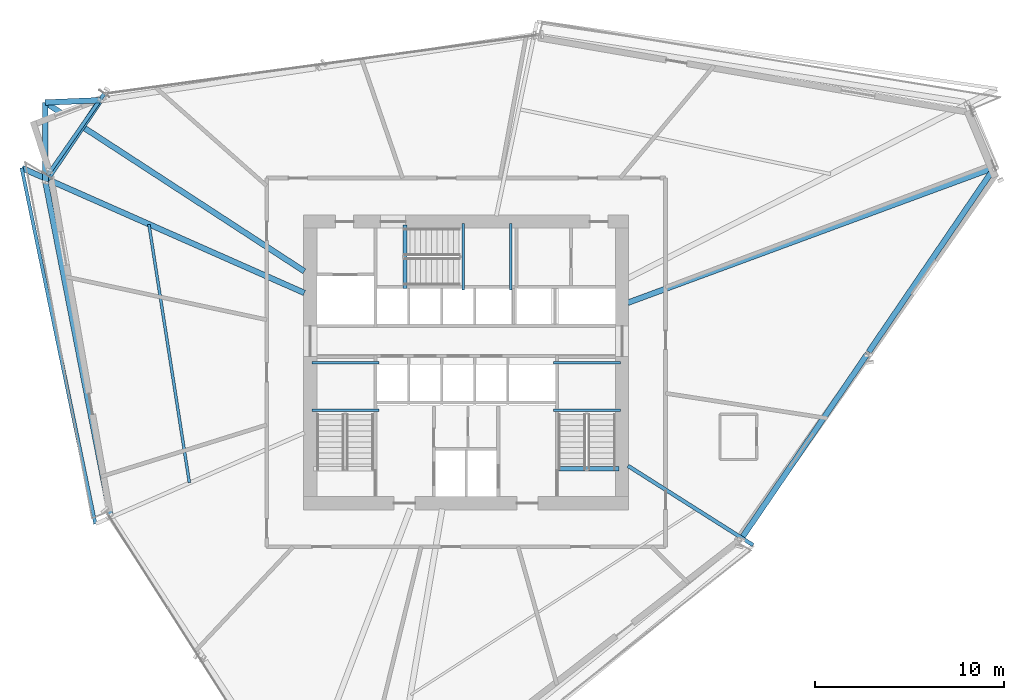
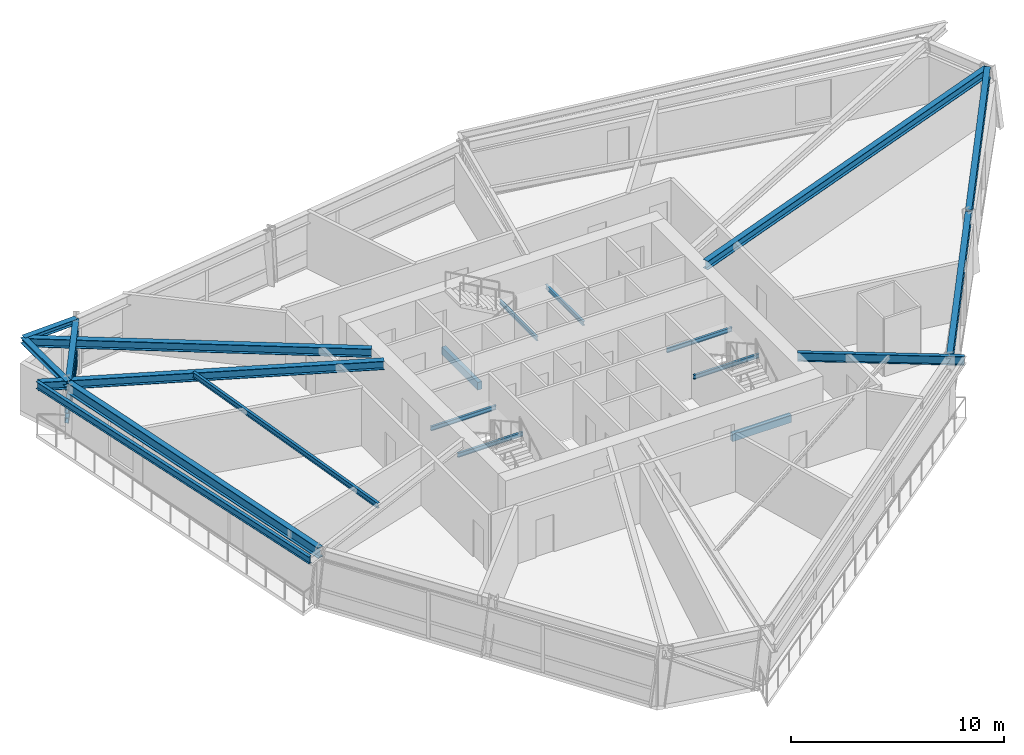
# One storey, part 5 of 16: 20 beams, 2 members.
"""IFC4 building model written with IfcOpenShell, lengths in metres."""

import ifcopenshell
import ifcopenshell.guid

model = None  # the IFC model being written
_history = None  # IfcOwnerHistory: only IFC2X3 demands one
_inside = {}  # id of a spatial element -> (the spatial element, [elements in it])
_under = {}  # id of a project, library or spatial element -> (it, [spatial elements below it])
_declared = {}  # id of a project -> (the project, [libraries it declares])
_typed = {}  # id of a type object -> (the type object, [elements of that type])
_made_of = {}  # id of a material, layer set ... -> (it, [elements and type objects made of it])


def new_model(schema):
    """Start an empty IFC model of exactly this schema.

    Asked for "IFC4X3", IfcOpenShell would pick the latest addendum, in which some entities
    have other attributes; the version numbers below select the first issue.
    IFC2X3 requires an IfcOwnerHistory on every rooted entity: one is made here for all.
    """
    global model, _history
    if schema == "IFC4X3":
        model = ifcopenshell.file(schema_version=(4, 3, 0, 0))
    else:
        model = ifcopenshell.file(schema=schema)
    _inside.clear()
    _under.clear()
    _declared.clear()
    _typed.clear()
    _made_of.clear()
    _history = None
    if model.schema == "IFC2X3":
        org = make("IfcOrganization", Name="unknown")
        user = make(
            "IfcPersonAndOrganization",
            ThePerson=make("IfcPerson", FamilyName="unknown"),
            TheOrganization=org,
        )
        app = make(
            "IfcApplication",
            ApplicationDeveloper=org,
            Version="unknown",
            ApplicationFullName="unknown",
            ApplicationIdentifier="unknown",
        )
        _history = make(
            "IfcOwnerHistory",
            OwningUser=user,
            OwningApplication=app,
            ChangeAction="ADDED",
            CreationDate=0,
        )
    return model


def make(cls, **values):
    """One entity of the class cls with the attributes given. An attribute that is None is left unset."""
    return model.create_entity(
        cls, **{name: value for name, value in values.items() if value is not None}
    )


def rooted(cls, **values):
    """An entity with a GlobalId (a new one), such as an element, a storey or a relation."""
    return make(cls, GlobalId=ifcopenshell.guid.new(), OwnerHistory=_history, **values)


def si_unit(unit_type, name, prefix=None):
    """IfcSIUnit, for example si_unit("LENGTHUNIT", "METRE", prefix="MILLI")."""
    return make("IfcSIUnit", UnitType=unit_type, Prefix=prefix, Name=name)


def assignment(units):
    """IfcUnitAssignment: the units of a project."""
    return None if units is None else make("IfcUnitAssignment", Units=units)


def point(xyz):
    """IfcCartesianPoint."""
    return None if xyz is None else make("IfcCartesianPoint", Coordinates=xyz)


def direction(xyz):
    """IfcDirection."""
    return None if xyz is None else make("IfcDirection", DirectionRatios=xyz)


def frame(location, z_axis=None, x_axis=None):
    """IfcAxis2Placement3D, a coordinate frame: its origin and axes. An axis left out is left unset."""
    return make(
        "IfcAxis2Placement3D",
        Location=point(location),
        Axis=direction(z_axis),
        RefDirection=direction(x_axis),
    )


def frame_2d(location, x_axis=None):
    """IfcAxis2Placement2D, a coordinate frame in the plane: its origin and x axis."""
    return make(
        "IfcAxis2Placement2D", Location=point(location), RefDirection=direction(x_axis)
    )


def origin():
    """The frame at (0, 0, 0) with its axes left unset."""
    return frame((0.0, 0.0, 0.0))


def origin_2d():
    """The frame at (0, 0) in the plane with its x axis left unset."""
    return frame_2d((0.0, 0.0))


def place(relative_to, where):
    """IfcLocalPlacement: puts the frame where relative to a parent placement (None: the world)."""
    return make(
        "IfcLocalPlacement", PlacementRelTo=relative_to, RelativePlacement=where
    )


def context(
    kind, dimensions, precision=None, world=None, true_north=None, identifier=None
):
    """IfcGeometricRepresentationContext, for example the 3D "Model" context."""
    return make(
        "IfcGeometricRepresentationContext",
        ContextIdentifier=identifier,
        ContextType=kind,
        CoordinateSpaceDimension=dimensions,
        Precision=precision,
        WorldCoordinateSystem=world,
        TrueNorth=true_north,
    )


def subcontext(parent, identifier, kind, view, scale=None):
    """IfcGeometricRepresentationSubContext, for example "Body" below "Model"."""
    return make(
        "IfcGeometricRepresentationSubContext",
        ContextIdentifier=identifier,
        ContextType=kind,
        ParentContext=parent,
        TargetScale=scale,
        TargetView=view,
    )


def project(units=None, contexts=None):
    """IfcProject with its units and contexts."""
    return rooted(
        "IfcProject",
        Name="project",
        RepresentationContexts=contexts,
        UnitsInContext=assignment(units),
    )


def spatial(cls, under=None, at=None, **own):
    """A site, building, storey or space (cls), placed at a placement, below another one or the project."""
    s = rooted(cls, ObjectPlacement=at, **own)
    if under is not None:
        _under.setdefault(under.id(), (under, []))[1].append(s)
    return s


def profile(cls, at=None, kind="AREA", **sizes):
    """A parametric profile (cls). Its sizes go by their IFC names, for example OverallWidth=200.0."""
    return make(cls, ProfileType=kind, Position=at, **sizes)


def rectangle(**sizes):
    """IfcRectangleProfileDef."""
    return profile("IfcRectangleProfileDef", **sizes)


def hollow_rectangle(**sizes):
    """IfcRectangleHollowProfileDef."""
    return profile("IfcRectangleHollowProfileDef", **sizes)


def i_section(**sizes):
    """IfcIShapeProfileDef."""
    return profile("IfcIShapeProfileDef", **sizes)


def extrude(swept, where, along, depth):
    """IfcExtrudedAreaSolid: the profile swept, set in the frame where, extruded along a direction by depth."""
    return make(
        "IfcExtrudedAreaSolid",
        SweptArea=swept,
        Position=where,
        ExtrudedDirection=direction(along),
        Depth=depth,
    )


def shape(context_of_items, identifier, shape_type, items):
    """IfcShapeRepresentation: the items that make up one representation, for example the "Body"."""
    return make(
        "IfcShapeRepresentation",
        ContextOfItems=context_of_items,
        RepresentationIdentifier=identifier,
        RepresentationType=shape_type,
        Items=items,
    )


def source(mapping_origin, context_of_items, identifier, shape_type, items):
    """IfcRepresentationMap: a shape defined once, which mapped items show again and again."""
    return make(
        "IfcRepresentationMap",
        MappingOrigin=mapping_origin,
        MappedRepresentation=shape(context_of_items, identifier, shape_type, items),
    )


def transform(
    local_origin,
    x_axis=None,
    y_axis=None,
    z_axis=None,
    scale=None,
    scale2=None,
    scale3=None,
    uniform=True,
):
    """IfcCartesianTransformationOperator3D, or its non-uniform kind. x_axis, y_axis, z_axis: its Axis1, 2, 3."""
    if uniform:
        return make(
            "IfcCartesianTransformationOperator3D",
            Axis1=direction(x_axis),
            Axis2=direction(y_axis),
            LocalOrigin=point(local_origin),
            Scale=scale,
            Axis3=direction(z_axis),
        )
    return make(
        "IfcCartesianTransformationOperator3DnonUniform",
        Axis1=direction(x_axis),
        Axis2=direction(y_axis),
        LocalOrigin=point(local_origin),
        Scale=scale,
        Axis3=direction(z_axis),
        Scale2=scale2,
        Scale3=scale3,
    )


def mapped(mapping_source, mapping_target):
    """IfcMappedItem: shows the shape of a source again, moved by a transform."""
    return make(
        "IfcMappedItem", MappingSource=mapping_source, MappingTarget=mapping_target
    )


def material(Name=None, Category=None):
    """IfcMaterial."""
    return make("IfcMaterial", Name=Name, Category=Category)


def material_profile(
    of_material, cross_section, Name=None, Category=None, Priority=None
):
    """IfcMaterialProfile: a cross section and its material."""
    return make(
        "IfcMaterialProfile",
        Name=Name,
        Material=of_material,
        Profile=cross_section,
        Priority=Priority,
        Category=Category,
    )


def profile_set(profiles, Name=None, composite=None):
    """IfcMaterialProfileSet."""
    return make(
        "IfcMaterialProfileSet",
        Name=Name,
        MaterialProfiles=profiles,
        CompositeProfile=composite,
    )


def made_of(thing, what):
    """Note that an element or type object is made of a material, layer set ...; save() writes the relation."""
    if what is not None:
        _made_of.setdefault(what.id(), (what, []))[1].append(thing)
    return thing


def type_object(cls, material=None, **own):
    """A type object (cls), such as IfcWallType, which elements share."""
    return made_of(rooted(cls, **own), material)


def element(
    cls,
    number,
    at=None,
    inside=None,
    cuts=None,
    type_object=None,
    material=None,
    context=None,
    identifier="Body",
    shape_type=None,
    held_by="IfcProductDefinitionShape",
    body=None,
    shapes=None,
    **own,
):
    """One element of the class cls, such as IfcWall. Its Tag is "e" and its number.

    at: its placement. inside: the storey or other place that contains it. cuts: it is an
    opening in that element (IfcRelVoidsElement). A single representation is given by context,
    identifier, shape_type and body (its items); several are given by shapes. held_by: the class
    of the entity that holds the representations. save() writes the other relations.
    """
    e = rooted(cls, Tag="e%d" % number, ObjectPlacement=at, **own)
    if body is not None:
        shapes = [shape(context, identifier, shape_type, body)]
    if shapes is not None:
        e.Representation = make(held_by, Representations=shapes)
    if inside is not None:
        _inside.setdefault(inside.id(), (inside, []))[1].append(e)
    if cuts is not None:
        rooted(
            "IfcRelVoidsElement", RelatingBuildingElement=cuts, RelatedOpeningElement=e
        )
    if type_object is not None:
        _typed.setdefault(type_object.id(), (type_object, []))[1].append(e)
    return made_of(e, material)


def aggregate(whole, parts):
    """IfcRelAggregates: a whole, such as a stair, and the parts it consists of."""
    return rooted("IfcRelAggregates", RelatingObject=whole, RelatedObjects=parts)


def save(model, path):
    """Write the relations noted so far, then the file.

    IfcRelAggregates (storeys below a building ...), IfcRelContainedInSpatialStructure (elements
    in a storey), IfcRelDefinesByType, IfcRelAssociatesMaterial and IfcRelDeclares: one each for
    every whole, place, type object, material and project.
    """
    for whole, parts in _under.values():
        aggregate(whole, parts)
    for where, things in _inside.values():
        rooted(
            "IfcRelContainedInSpatialStructure",
            RelatedElements=things,
            RelatingStructure=where,
        )
    for kind, things in _typed.values():
        rooted("IfcRelDefinesByType", RelatedObjects=things, RelatingType=kind)
    for what, things in _made_of.values():
        rooted("IfcRelAssociatesMaterial", RelatedObjects=things, RelatingMaterial=what)
    for by, libraries in _declared.values():
        rooted("IfcRelDeclares", RelatingContext=by, RelatedDefinitions=libraries)
    model.write(path)


model = new_model("IFC4")

# Units and contexts
model_context = context("Model", 3, precision=1e-05, world=origin(), true_north=direction((0.0, 1.0)))
body_context = subcontext(model_context, "Body", "Model", "MODEL_VIEW")
ifc_project = project(units=[si_unit("LENGTHUNIT", "METRE"), si_unit("AREAUNIT", "SQUARE_METRE"), si_unit("VOLUMEUNIT", "CUBIC_METRE"), si_unit("PLANEANGLEUNIT", "RADIAN"), si_unit("MASSUNIT", "GRAM", prefix="KILO")], contexts=[model_context])

# Site, building, storey
site_placement = place(None, origin())
site = spatial("IfcSite", under=ifc_project, at=site_placement, CompositionType="ELEMENT")
building_placement = place(site_placement, origin())
building = spatial("IfcBuilding", under=site, at=building_placement, Name="Olszyna Solenne Hotel", CompositionType="ELEMENT")
storey_placement = place(building_placement, frame((0.0, 0.0, 127.0)))
storey = spatial("IfcBuildingStorey", under=building, at=storey_placement, Name="L33", CompositionType="ELEMENT", Elevation=127.0)

# Beams
ifc_material_1 = material(Name="Steel S355J2", Category="steel")
ifc_material_profile_1 = material_profile(ifc_material_1, i_section(OverallWidth=0.300048828125, OverallDepth=0.60009765625, WebThickness=0.015380859375, FlangeThickness=0.030029296875, at=origin_2d()), Name="HEB 600", Category="load-bearing")
ifc_profile_set_1 = profile_set([ifc_material_profile_1], Name="Steel S355J2")
beam_type_1 = type_object("IfcBeamType", Name="BM-S2", PredefinedType="BEAM", material=ifc_profile_set_1)
shared_shape_1 = source(origin(), body_context, "Body", "SweptSolid", [
    extrude(i_section(OverallWidth=0.300048828125, OverallDepth=0.60009765625, WebThickness=0.015380859375, FlangeThickness=0.030029296875, at=origin_2d()), origin(), (0.0, 0.0, 1.0), 5.077880859375),
])
beam_1_placement = place(storey_placement, frame((18.620849609375, 40.4208984375, 3.0), z_axis=(-0.559152427796, -0.829064872305, 0.0), x_axis=(0.829064872305, -0.559152427796, 0.0)))
element("IfcBeam", 1, at=beam_1_placement, inside=storey, type_object=beam_type_1, Name="Perimeter spandrel beam BM-S2 B-L33-0991", PredefinedType="BEAM", context=body_context, shape_type="MappedRepresentation", body=[
    mapped(shared_shape_1, transform((0.0, 0.0, 0.0), x_axis=(1.0, 0.0, 0.0), y_axis=(0.0, 1.0, 0.0), z_axis=(0.0, 0.0, 1.0), scale=1.0)),
])
shared_shape_2 = source(origin(), body_context, "Body", "SweptSolid", [
    extrude(i_section(OverallWidth=0.300048828125, OverallDepth=0.60009765625, WebThickness=0.015380859375, FlangeThickness=0.030029296875, at=origin_2d()), origin(), (0.0, 0.0, 1.0), 17.961181640625),
])
beam_2_placement = place(storey_placement, frame((15.759521484375, 36.102294921875, 3.0), z_axis=(0.191262203666, -0.981538980096, 0.0), x_axis=(0.981538980096, 0.191262203666, 0.0)))
element("IfcBeam", 2, at=beam_2_placement, inside=storey, type_object=beam_type_1, Name="Perimeter spandrel beam BM-S2 B-L33-0992", PredefinedType="BEAM", context=body_context, shape_type="MappedRepresentation", body=[
    mapped(shared_shape_2, transform((0.0, 0.0, 0.0), x_axis=(1.0, 0.0, 0.0), y_axis=(0.0, 1.0, 0.0), z_axis=(0.0, 0.0, 1.0), scale=1.0)),
])
shared_shape_3 = source(origin(), body_context, "Body", "SweptSolid", [
    extrude(i_section(OverallWidth=0.300048828125, OverallDepth=0.60009765625, WebThickness=0.015380859375, FlangeThickness=0.030029296875, at=origin_2d()), origin(), (0.0, 0.0, 1.0), 11.759033203125),
])
for number, where, z_axis, x_axis, name in (
    (3, (52.601318359375, 17.340087890625, 3.0), (0.563608663784, 0.826041932415, 0.0), (-0.826041932415, 0.563608663784, 0.0), "Perimeter spandrel beam BM-S2 B-L33-0997"),
    (4, (59.29638671875, 27.152587890625, 3.0), (0.563622830474, 0.8260322663, 0.0), (-0.8260322663, 0.563622830474, 0.0), "Perimeter spandrel beam BM-S2 B-L33-0998"),
):
    element("IfcBeam", number, at=place(storey_placement, frame(where, z_axis=z_axis, x_axis=x_axis)), inside=storey, type_object=beam_type_1, Name=name, PredefinedType="BEAM", context=body_context, shape_type="MappedRepresentation", body=[
        mapped(shared_shape_3, transform((0.0, 0.0, 0.0), x_axis=(1.0, 0.0, 0.0), y_axis=(0.0, 1.0, 0.0), z_axis=(0.0, 0.0, 1.0), scale=1.0)),
    ])
ifc_material_profile_2 = material_profile(ifc_material_1, i_section(OverallWidth=0.300048828125, OverallDepth=0.489990234375, WebThickness=0.011962890625, FlangeThickness=0.02294921875, at=origin_2d()), Name="HEA 500", Category="load-bearing")
ifc_profile_set_2 = profile_set([ifc_material_profile_2], Name="Steel S355J2")
beam_type_2 = type_object("IfcBeamType", Name="BM-G1", PredefinedType="BEAM", material=ifc_profile_set_2)
shared_shape_4 = source(origin(), body_context, "Body", "SweptSolid", [
    extrude(i_section(OverallWidth=0.300048828125, OverallDepth=0.489990234375, WebThickness=0.011962890625, FlangeThickness=0.02294921875, at=origin_2d()), origin(), (0.0, 0.0, 1.0), 20.62353515625),
])
beam_3_placement = place(storey_placement, frame((65.901611328125, 36.894775390625, 3.054931640625), z_axis=(-0.938178290071, -0.346152417352, 0.0), x_axis=(0.346152417352, -0.938178290071, 0.0)))
element("IfcBeam", 5, at=beam_3_placement, inside=storey, type_object=beam_type_2, Name="Radial floor girder BM-G1 B-L33-0999", PredefinedType="BEAM", context=body_context, shape_type="MappedRepresentation", body=[
    mapped(shared_shape_4, transform((0.0, 0.0, 0.0), x_axis=(1.0, 0.0, 0.0), y_axis=(0.0, 1.0, 0.0), z_axis=(0.0, 0.0, 1.0), scale=1.0)),
])
shared_shape_5 = source(origin(), body_context, "Body", "SweptSolid", [
    extrude(i_section(OverallWidth=0.300048828125, OverallDepth=0.489990234375, WebThickness=0.011962890625, FlangeThickness=0.02294921875, at=origin_2d()), origin(), (0.0, 0.0, 1.0), 16.337646484375),
])
beam_4_placement = place(storey_placement, frame((15.75390625, 40.3369140625, 3.054931640625), z_axis=(0.837920527275, -0.545792258987, 0.0), x_axis=(0.545792258987, 0.837920527275, 0.0)))
element("IfcBeam", 6, at=beam_4_placement, inside=storey, type_object=beam_type_2, Name="Radial floor girder BM-G1 B-L33-1002", PredefinedType="BEAM", context=body_context, shape_type="MappedRepresentation", body=[
    mapped(shared_shape_5, transform((0.0, 0.0, 0.0), x_axis=(1.0, 0.0, 0.0), y_axis=(0.0, 1.0, 0.0), z_axis=(0.0, 0.0, 1.0), scale=1.0)),
])
shared_shape_6 = source(origin(), body_context, "Body", "SweptSolid", [
    extrude(i_section(OverallWidth=0.300048828125, OverallDepth=0.489990234375, WebThickness=0.011962890625, FlangeThickness=0.02294921875, at=origin_2d()), origin(), (0.0, 0.0, 1.0), 16.331298828125),
])
beam_5_placement = place(storey_placement, frame((14.509521484375, 36.8798828125, 3.054931640625), z_axis=(0.914579255282, -0.404406708411, 0.0), x_axis=(0.404406708411, 0.914579255282, 0.0)))
element("IfcBeam", 7, at=beam_5_placement, inside=storey, type_object=beam_type_2, Name="Radial floor girder BM-G1 B-L33-1003", PredefinedType="BEAM", context=body_context, shape_type="MappedRepresentation", body=[
    mapped(shared_shape_6, transform((0.0, 0.0, 0.0), x_axis=(1.0, 0.0, 0.0), y_axis=(0.0, 1.0, 0.0), z_axis=(0.0, 0.0, 1.0), scale=1.0)),
])
ifc_material_profile_3 = material_profile(ifc_material_1, i_section(OverallWidth=0.199951171875, OverallDepth=0.5, WebThickness=0.01025390625, FlangeThickness=0.01611328125, at=origin_2d()), Name="IPE 500", Category="load-bearing")
ifc_profile_set_3 = profile_set([ifc_material_profile_3], Name="Steel S355J2")
beam_type_3 = type_object("IfcBeamType", Name="BM-F3", PredefinedType="BEAM", material=ifc_profile_set_3)
shared_shape_7 = source(origin(), body_context, "Body", "SweptSolid", [
    extrude(i_section(OverallWidth=0.199951171875, OverallDepth=0.5, WebThickness=0.01025390625, FlangeThickness=0.01611328125, at=origin_2d()), origin(), (0.0, 0.0, 1.0), 7.837158203125),
])
beam_6_placement = place(storey_placement, frame((53.178955078125, 16.93798828125, 3.050048828125), z_axis=(-0.844833156506, 0.535029847455, 0.0), x_axis=(-0.535029847455, -0.844833156506, 0.0)))
element("IfcBeam", 8, at=beam_6_placement, inside=storey, type_object=beam_type_3, Name="Radial floor girder BM-F3 B-L33-1007", PredefinedType="BEAM", context=body_context, shape_type="MappedRepresentation", body=[
    mapped(shared_shape_7, transform((0.0, 0.0, 0.0), x_axis=(1.0, 0.0, 0.0), y_axis=(0.0, 1.0, 0.0), z_axis=(0.0, 0.0, 1.0), scale=1.0)),
])
ifc_material_profile_4 = material_profile(ifc_material_1, i_section(OverallWidth=0.300048828125, OverallDepth=0.31005859375, WebThickness=0.009033203125, FlangeThickness=0.015380859375, at=origin_2d()), Name="HEA 320", Category="load-bearing")
ifc_profile_set_4 = profile_set([ifc_material_profile_4], Name="Steel S355J2")
beam_type_4 = type_object("IfcBeamType", Name="BM-G3", PredefinedType="BEAM", material=ifc_profile_set_4)
shared_shape_8 = source(origin(), body_context, "Body", "SweptSolid", [
    extrude(i_section(OverallWidth=0.300048828125, OverallDepth=0.31005859375, WebThickness=0.009033203125, FlangeThickness=0.015380859375, at=origin_2d()), origin(), (0.0, 0.0, 1.0), 2.919921875),
])
beam_7_placement = place(storey_placement, frame((18.654296875, 40.470703125, 3.14501953125), z_axis=(-0.99911515718, -0.042058324886, 0.0), x_axis=(0.042058324886, -0.99911515718, 0.0)))
element("IfcBeam", 9, at=beam_7_placement, inside=storey, type_object=beam_type_4, Name="Prism side edge beam BM-G3 B-L33-1008", PredefinedType="BEAM", context=body_context, shape_type="MappedRepresentation", body=[
    mapped(shared_shape_8, transform((0.0, 0.0, 0.0), x_axis=(1.0, 0.0, 0.0), y_axis=(0.0, 1.0, 0.0), z_axis=(0.0, 0.0, 1.0), scale=1.0)),
])
shared_shape_9 = source(origin(), body_context, "Body", "SweptSolid", [
    extrude(i_section(OverallWidth=0.300048828125, OverallDepth=0.31005859375, WebThickness=0.009033203125, FlangeThickness=0.015380859375, at=origin_2d()), origin(), (0.0, 0.0, 1.0), 4.186767578125),
])
beam_8_placement = place(storey_placement, frame((15.748046875, 36.1611328125, 3.14501953125), z_axis=(-0.002624050678, 0.999996557173, 0.0), x_axis=(-0.999996557173, -0.002624050678, 0.0)))
element("IfcBeam", 10, at=beam_8_placement, inside=storey, type_object=beam_type_4, Name="Prism side edge beam BM-G3 B-L33-1009", PredefinedType="BEAM", context=body_context, shape_type="MappedRepresentation", body=[
    mapped(shared_shape_9, transform((0.0, 0.0, 0.0), x_axis=(1.0, 0.0, 0.0), y_axis=(0.0, 1.0, 0.0), z_axis=(0.0, 0.0, 1.0), scale=1.0)),
])
ifc_material_profile_5 = material_profile(ifc_material_1, i_section(OverallWidth=0.14990234375, OverallDepth=0.300048828125, WebThickness=0.007080078125, FlangeThickness=0.0107421875, at=origin_2d()), Name="IPE 300", Category="load-bearing")
ifc_profile_set_5 = profile_set([ifc_material_profile_5], Name="Steel S355J2")
beam_type_5 = type_object("IfcBeamType", Name="JS-02", PredefinedType="JOIST", material=ifc_profile_set_5)
shared_shape_10 = source(origin(), body_context, "Body", "SweptSolid", [
    extrude(i_section(OverallWidth=0.14990234375, OverallDepth=0.300048828125, WebThickness=0.007080078125, FlangeThickness=0.0107421875, at=origin_2d()), origin(), (0.0, 0.0, 1.0), 13.816162109375),
])
beam_9_placement = place(storey_placement, frame((21.223876953125, 33.892578125, 3.14990234375), z_axis=(0.154829121678, -0.987941264995, 0.0), x_axis=(0.987941264995, 0.154829121678, 0.0)))
element("IfcBeam", 11, at=beam_9_placement, inside=storey, type_object=beam_type_5, Name="Secondary composite floor joist JS-02 B-L33-1011", PredefinedType="JOIST", context=body_context, shape_type="MappedRepresentation", body=[
    mapped(shared_shape_10, transform((0.0, 0.0, 0.0), x_axis=(1.0, 0.0, 0.0), y_axis=(0.0, 1.0, 0.0), z_axis=(0.0, 0.0, 1.0), scale=1.0)),
])
ifc_material_profile_6 = material_profile(ifc_material_1, i_section(OverallWidth=0.179931640625, OverallDepth=0.39990234375, WebThickness=0.008544921875, FlangeThickness=0.013427734375, at=origin_2d()), Name="IPE 400", Category="load-bearing")
ifc_profile_set_6 = profile_set([ifc_material_profile_6], Name="Steel S355J2")
beam_type_6 = type_object("IfcBeamType", Name="BM-F5", PredefinedType="BEAM", material=ifc_profile_set_6)
shared_shape_11 = source(origin(), body_context, "Body", "SweptSolid", [
    extrude(i_section(OverallWidth=0.179931640625, OverallDepth=0.39990234375, WebThickness=0.008544921875, FlangeThickness=0.013427734375, at=origin_2d()), origin(), (0.0, 0.0, 1.0), 19.2333984375),
])
beam_10_placement = place(storey_placement, frame((14.4912109375, 36.887939453125, 3.10009765625), z_axis=(0.202804976988, -0.979219148765, 0.0), x_axis=(0.979219148765, 0.202804976988, 0.0)))
element("IfcBeam", 12, at=beam_10_placement, inside=storey, type_object=beam_type_6, Name="Loggia outer edge beam BM-F5 B-L33-1014", PredefinedType="BEAM", context=body_context, shape_type="MappedRepresentation", body=[
    mapped(shared_shape_11, transform((0.0, 0.0, 0.0), x_axis=(1.0, 0.0, 0.0), y_axis=(0.0, 1.0, 0.0), z_axis=(0.0, 0.0, 1.0), scale=1.0)),
])

# Members
ifc_material_profile_7 = material_profile(ifc_material_1, hollow_rectangle(XDim=0.199951171875, YDim=0.300048828125, WallThickness=0.01611328125, at=origin_2d()), Name="RHS 300x200x16", Category="load-bearing")
ifc_profile_set_7 = profile_set([ifc_material_profile_7], Name="Steel S355J2")
member_type = type_object("IfcMemberType", Name="CH-PR1", PredefinedType="CHORD", material=ifc_profile_set_7)
shared_shape_12 = source(origin(), body_context, "Body", "SweptSolid", [
    extrude(hollow_rectangle(XDim=0.199951171875, YDim=0.300048828125, WallThickness=0.01611328125, at=origin_2d()), origin(), (0.0, 0.0, 1.0), 5.2509765625),
])
for number, where, z_axis, x_axis, name in (
    (13, (18.861083984375, 40.80859375, 1.35009765625), (-0.572151050862, -0.820148264034, 0.0), (0.820148264034, -0.572151050862, 0.0), "Glass-prism tie chord CH-PR1 M-L33-PR1"),
    (14, (18.861083984375, 40.80859375, 0.780029296875), (-0.572151050862, -0.820148264034, 0.0), (0.820148264034, -0.572151050862, 0.0), "Glass-prism tie chord CH-PR1 M-L33-PR2"),
):
    element("IfcMember", number, at=place(storey_placement, frame(where, z_axis=z_axis, x_axis=x_axis)), inside=storey, type_object=member_type, Name=name, PredefinedType="CHORD", context=body_context, shape_type="MappedRepresentation", body=[
        mapped(shared_shape_12, transform((0.0, 0.0, 0.0), x_axis=(1.0, 0.0, 0.0), y_axis=(0.0, 1.0, 0.0), z_axis=(0.0, 0.0, 1.0), scale=1.0)),
    ])

# Beams
ifc_material_profile_8 = material_profile(ifc_material_1, i_section(OverallWidth=0.1201171875, OverallDepth=0.239990234375, WebThickness=0.006103515625, FlangeThickness=0.009765625, at=origin_2d()), Name="IPE 240", Category="load-bearing")
ifc_profile_set_8 = profile_set([ifc_material_profile_8], Name="Steel S355J2")
beam_type_7 = type_object("IfcBeamType", Name="JS-03", PredefinedType="JOIST", material=ifc_profile_set_8)
shared_shape_13 = source(origin(), body_context, "Body", "SweptSolid", [
    extrude(i_section(OverallWidth=0.1201171875, OverallDepth=0.239990234375, WebThickness=0.006103515625, FlangeThickness=0.009765625, at=origin_2d()), origin(), (0.0, 0.0, 1.0), 3.539794921875),
])
for number, where, z_axis, x_axis, name in (
    (15, (33.3798828125, 24.070068359375, 1.449951171875), (-1.0, 0.0, 0.0), (0.0, -1.0, 0.0), "Stair landing support beam JS-03 SLB-ST1-0071"),
    (16, (33.3798828125, 26.580078125, 1.449951171875), (-1.0, 0.0, 0.0), (0.0, -1.0, 0.0), "Stair landing support beam JS-03 SLB-ST1-0072"),
    (17, (46.159912109375, 24.070068359375, 1.449951171875), (-1.0, 0.0, 0.0), (0.0, -1.0, 0.0), "Stair landing support beam JS-03 SLB-ST2-0311"),
    (18, (46.159912109375, 26.580078125, 1.449951171875), (-1.0, 0.0, 0.0), (0.0, -1.0, 0.0), "Stair landing support beam JS-03 SLB-ST2-0312"),
):
    element("IfcBeam", number, at=place(storey_placement, frame(where, z_axis=z_axis, x_axis=x_axis)), inside=storey, type_object=beam_type_7, Name=name, PredefinedType="JOIST", context=body_context, shape_type="MappedRepresentation", body=[
        mapped(shared_shape_13, transform((0.0, 0.0, 0.0), x_axis=(1.0, 0.0, 0.0), y_axis=(0.0, 1.0, 0.0), z_axis=(0.0, 0.0, 1.0), scale=1.0)),
    ])
ifc_material_2 = material(Name="Concrete C50/60", Category="concrete")
ifc_material_profile_9 = material_profile(ifc_material_2, rectangle(XDim=0.219970703125, YDim=0.43994140625, at=origin_2d()), Name="RC 220x440", Category="load-bearing")
ifc_profile_set_9 = profile_set([ifc_material_profile_9], Name="Concrete C50/60")
beam_type_8 = type_object("IfcBeamType", Name="BM-ST1", PredefinedType="BEAM", material=ifc_profile_set_9)
shared_shape_14 = source(origin(), body_context, "Body", "SweptSolid", [
    extrude(rectangle(XDim=0.219970703125, YDim=0.43994140625, at=origin_2d()), origin(), (0.0, 0.0, 1.0), 3.18017578125),
])
beam_11_placement = place(storey_placement, frame((46.080078125, 20.97998046875, -0.205078125), z_axis=(-1.0, 0.0, 0.0), x_axis=(0.0, -1.0, 0.0)))
element("IfcBeam", 19, at=beam_11_placement, inside=storey, type_object=beam_type_8, Name="Concrete stair trimmer beam BM-ST1 SHB-ST2-0435", PredefinedType="BEAM", context=body_context, shape_type="MappedRepresentation", body=[
    mapped(shared_shape_14, transform((0.0, 0.0, 0.0), x_axis=(1.0, 0.0, 0.0), y_axis=(0.0, 1.0, 0.0), z_axis=(0.0, 0.0, 1.0), scale=1.0)),
])
shared_shape_15 = source(origin(), body_context, "Body", "SweptSolid", [
    extrude(i_section(OverallWidth=0.1201171875, OverallDepth=0.239990234375, WebThickness=0.006103515625, FlangeThickness=0.009765625, at=origin_2d()), origin(), (0.0, 0.0, 1.0), 3.5400390625),
])
for number, where, z_axis, x_axis, name in (
    (20, (37.85009765625, 30.419921875, 1.449951171875), (0.0, 1.0, 0.0), (-1.0, 0.0, 0.0), "Stair landing support beam JS-03 SLB-ST3-0551"),
    (21, (40.360107421875, 30.419921875, 1.449951171875), (0.0, 1.0, 0.0), (-1.0, 0.0, 0.0), "Stair landing support beam JS-03 SLB-ST3-0552"),
):
    element("IfcBeam", number, at=place(storey_placement, frame(where, z_axis=z_axis, x_axis=x_axis)), inside=storey, type_object=beam_type_7, Name=name, PredefinedType="JOIST", context=body_context, shape_type="MappedRepresentation", body=[
        mapped(shared_shape_15, transform((0.0, 0.0, 0.0), x_axis=(1.0, 0.0, 0.0), y_axis=(0.0, 1.0, 0.0), z_axis=(0.0, 0.0, 1.0), scale=1.0)),
    ])
shared_shape_16 = source(origin(), body_context, "Body", "SweptSolid", [
    extrude(rectangle(XDim=0.219970703125, YDim=0.43994140625, at=origin_2d()), origin(), (0.0, 0.0, 1.0), 3.3798828125),
])
beam_12_placement = place(storey_placement, frame((34.760009765625, 30.5, -0.205078125), z_axis=(0.0, 1.0, 0.0), x_axis=(-1.0, 0.0, 0.0)))
element("IfcBeam", 22, at=beam_12_placement, inside=storey, type_object=beam_type_8, Name="Concrete stair trimmer beam BM-ST1 SHB-ST3-0673", PredefinedType="BEAM", context=body_context, shape_type="MappedRepresentation", body=[
    mapped(shared_shape_16, transform((0.0, 0.0, 0.0), x_axis=(1.0, 0.0, 0.0), y_axis=(0.0, 1.0, 0.0), z_axis=(0.0, 0.0, 1.0), scale=1.0)),
])

save(model, "model.ifc")
